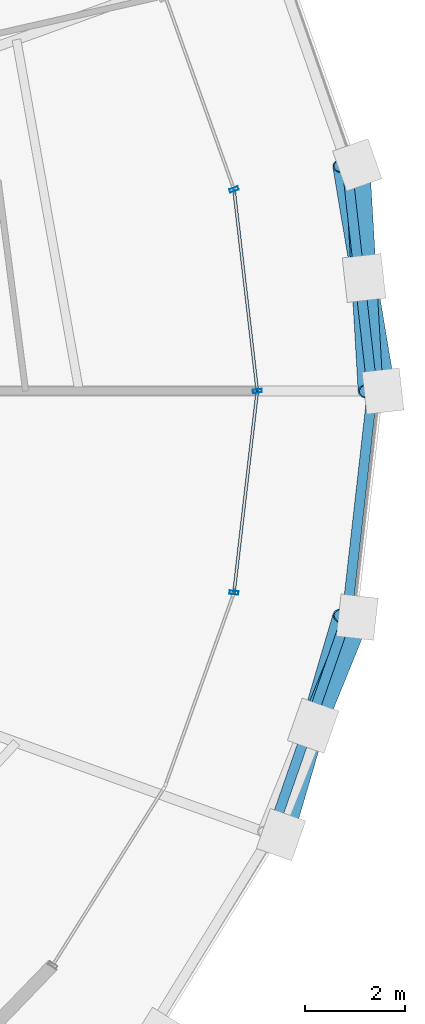
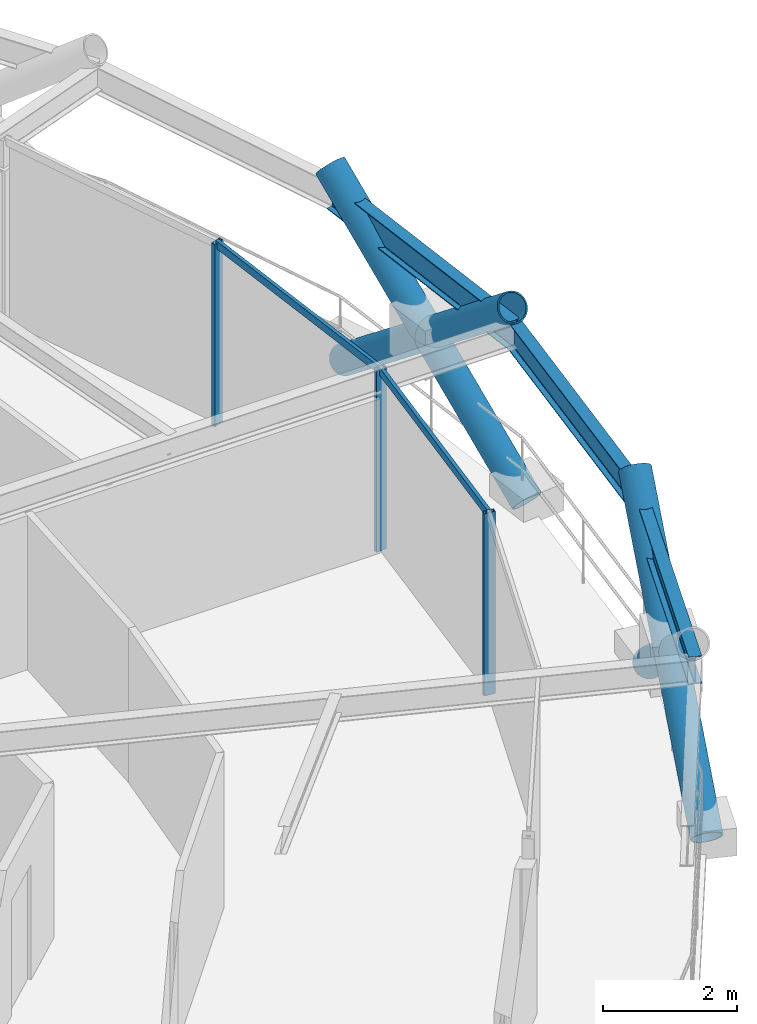
# One storey, part 8 of 16: 10 members, 3 beams, 1 element without a shape of its own.
"""IFC4 building model written with IfcOpenShell, lengths in metres."""

from ifc_helpers import new_model, si_unit, direction, frame, origin, origin_2d, place, context, subcontext, project, spatial, hollow_rectangle, hollow_circle, i_section, extrude, material, layer, layer_set, material_profile, profile_set, type_object, element, aggregate, save


model = new_model("IFC4")

# Units and contexts
model_context = context("Model", 3, precision=1e-05, world=origin(), true_north=direction((0.0, 1.0)))
body_context = subcontext(model_context, "Body", "Model", "MODEL_VIEW")
ifc_project = project(units=[si_unit("LENGTHUNIT", "METRE"), si_unit("AREAUNIT", "SQUARE_METRE"), si_unit("VOLUMEUNIT", "CUBIC_METRE"), si_unit("PLANEANGLEUNIT", "RADIAN"), si_unit("MASSUNIT", "GRAM", prefix="KILO")], contexts=[model_context])

# Site, building, storey
site_placement = place(None, origin())
site = spatial("IfcSite", under=ifc_project, at=site_placement, CompositionType="ELEMENT")
building_placement = place(site_placement, origin())
building = spatial("IfcBuilding", under=site, at=building_placement, Name="Veldorina Hangang Commons", CompositionType="ELEMENT")
storey_placement = place(building_placement, frame((0.0, 0.0, 192.800048828125)))
storey = spatial("IfcBuildingStorey", under=building, at=storey_placement, Name="L50", CompositionType="ELEMENT", Elevation=192.800048828125)

# Beams
ifc_material_1 = material(Name="Steel SM420-TMC", Category="steel")
ifc_material_profile_1 = material_profile(ifc_material_1, i_section(OverallWidth=0.199951171875, OverallDepth=0.5, WebThickness=0.010009765625, FlangeThickness=0.01611328125, FilletRadius=0.01611328125, at=origin_2d()), Name="H-500x200x10x16")
ifc_profile_set_1 = profile_set([ifc_material_profile_1], Name="Steel SM420-TMC")
beam_type = type_object("IfcBeamType", Name="BM-RB500", PredefinedType="BEAM", material=ifc_profile_set_1)
beam_1_placement = place(storey_placement, frame((58.646484375, 24.0, 3.099853515625), z_axis=(-0.112258641722, 0.993679021293, 0.0), x_axis=(-0.993679021293, -0.112258641722, 0.0)))
element("IfcBeam", 1, at=beam_1_placement, inside=storey, type_object=beam_type, Name="L50 perimeter hoop ring beam 00", PredefinedType="BEAM", context=body_context, shape_type="SweptSolid", body=[
    extrude(i_section(OverallWidth=0.199951171875, OverallDepth=0.5, WebThickness=0.010009765625, FlangeThickness=0.01611328125, FilletRadius=0.01611328125, at=origin_2d()), origin(), (0.0, 0.0, 1.0), 4.560546875),
])
beam_2_placement = place(storey_placement, frame((56.617919921875, 15.110595703125, 3.099853515625), z_axis=(0.328693009223, 0.94443681932, 0.0), x_axis=(-0.94443681932, 0.328693009223, 0.0)))
element("IfcBeam", 2, at=beam_2_placement, inside=storey, type_object=beam_type, Name="L50 perimeter hoop ring beam 30", PredefinedType="BEAM", context=body_context, shape_type="SweptSolid", body=[
    extrude(i_section(OverallWidth=0.199951171875, OverallDepth=0.5, WebThickness=0.010009765625, FlangeThickness=0.01611328125, FilletRadius=0.01611328125, at=origin_2d()), origin(), (0.0, 0.0, 1.0), 4.614013671875),
])
beam_3_placement = place(storey_placement, frame((58.134521484375, 19.46826171875, 3.099853515625), z_axis=(0.112258641722, 0.993679021293, 0.0), x_axis=(-0.993679021293, 0.112258641722, 0.0)))
element("IfcBeam", 3, at=beam_3_placement, inside=storey, type_object=beam_type, Name="L50 perimeter hoop ring beam 31", PredefinedType="BEAM", context=body_context, shape_type="SweptSolid", body=[
    extrude(i_section(OverallWidth=0.199951171875, OverallDepth=0.5, WebThickness=0.010009765625, FlangeThickness=0.01611328125, FilletRadius=0.01611328125, at=origin_2d()), origin(), (0.0, 0.0, 1.0), 4.560546875),
])

# Curtain wall, members
ifc_material_2 = material(Name="Glass Low-E Triple IGU", Category="glass")
ifc_layer = layer(ifc_material_2, 0.179931640625)
ifc_layer_set = layer_set([ifc_layer], Name="Glass Low-E Triple IGU")
curtain_wall_type = type_object("IfcCurtainWallType", Name="CW-SYS-Z2", PredefinedType="NOTDEFINED", material=ifc_layer_set)
curtain_wall_placement = place(storey_placement, origin())
curtain_wall = element("IfcCurtainWall", 4, at=curtain_wall_placement, inside=storey, type_object=curtain_wall_type, Name="L50 unitised curtain wall CW-L50-R2", PredefinedType="NOTDEFINED")
ifc_material_3 = material(Name="Aluminium Anodized AA6063-T6", Category="aluminium")
ifc_material_profile_2 = material_profile(ifc_material_3, hollow_rectangle(XDim=0.070068359375, YDim=0.179931640625, WallThickness=0.00390625, at=origin_2d()), Name="ALU-RHS-180x70x4")
ifc_profile_set_2 = profile_set([ifc_material_profile_2], Name="Aluminium Anodized AA6063-T6")
member_type_1 = type_object("IfcMemberType", Name="CW-MUL-180", PredefinedType="MULLION", material=ifc_profile_set_2)
member_1_placement = place(storey_placement, frame((55.872314453125, 19.957763671875, 0.0), z_axis=(0.0, 0.0, 1.0), x_axis=(0.114937150493, 0.9933727656, 0.0)))
member_1 = element("IfcMember", 5, at=member_1_placement, type_object=member_type_1, Name="CW-L50-R2 vertical mullion 2", PredefinedType="MULLION", context=body_context, shape_type="SweptSolid", body=[
    extrude(hollow_rectangle(XDim=0.070068359375, YDim=0.179931640625, WallThickness=0.00390625, at=origin_2d()), origin(), (0.0, 0.0, 1.0), 3.31005859375),
])
member_2_placement = place(storey_placement, frame((56.340087890625, 24.0, 0.0), z_axis=(0.0, 0.0, 1.0), x_axis=(-0.114937150493, 0.9933727656, 0.0)))
member_2 = element("IfcMember", 6, at=member_2_placement, type_object=member_type_1, Name="CW-L50-R2 vertical mullion 3", PredefinedType="MULLION", context=body_context, shape_type="SweptSolid", body=[
    extrude(hollow_rectangle(XDim=0.070068359375, YDim=0.179931640625, WallThickness=0.00390625, at=origin_2d()), origin(), (0.0, 0.0, 1.0), 3.31005859375),
])
member_3_placement = place(storey_placement, frame((55.872314453125, 28.042236328125, 0.0), z_axis=(0.0, 0.0, 1.0), x_axis=(-0.335681747794, 0.941975458384, 0.0)))
member_3 = element("IfcMember", 7, at=member_3_placement, type_object=member_type_1, Name="CW-L50-R2 vertical mullion 4", PredefinedType="MULLION", context=body_context, shape_type="SweptSolid", body=[
    extrude(hollow_rectangle(XDim=0.070068359375, YDim=0.179931640625, WallThickness=0.00390625, at=origin_2d()), origin(), (0.0, 0.0, 1.0), 3.31005859375),
])
ifc_material_profile_3 = material_profile(ifc_material_3, hollow_rectangle(XDim=0.06005859375, YDim=0.139892578125, WallThickness=0.00341796875, at=origin_2d()), Name="ALU-RHS-140x60x3.5")
ifc_profile_set_3 = profile_set([ifc_material_profile_3], Name="Aluminium Anodized AA6063-T6")
member_type_2 = type_object("IfcMemberType", Name="CW-TRN-140", PredefinedType="USERDEFINED", material=ifc_profile_set_3)
member_4_placement = place(storey_placement, frame((55.872314453125, 19.957763671875, 3.27001953125), z_axis=(0.11495430427, 0.993370780691, 0.0), x_axis=(-0.993370780691, 0.11495430427, 0.0)))
member_4 = element("IfcMember", 8, at=member_4_placement, type_object=member_type_2, Name="CW-L50-R2 facet 3 transom 1", ObjectType="TRANSOM", PredefinedType="USERDEFINED", context=body_context, shape_type="SweptSolid", body=[
    extrude(hollow_rectangle(XDim=0.06005859375, YDim=0.139892578125, WallThickness=0.00341796875, at=origin_2d()), origin(), (0.0, 0.0, 1.0), 4.069091796875),
])
member_5_placement = place(storey_placement, frame((56.340087890625, 24.0, 3.27001953125), z_axis=(-0.11495430427, 0.993370780691, 0.0), x_axis=(-0.993370780691, -0.11495430427, 0.0)))
member_5 = element("IfcMember", 9, at=member_5_placement, type_object=member_type_2, Name="CW-L50-R2 facet 4 transom 1", ObjectType="TRANSOM", PredefinedType="USERDEFINED", context=body_context, shape_type="SweptSolid", body=[
    extrude(hollow_rectangle(XDim=0.06005859375, YDim=0.139892578125, WallThickness=0.00341796875, at=origin_2d()), origin(), (0.0, 0.0, 1.0), 4.069091796875),
])
aggregate(curtain_wall, [member_1, member_2, member_3, member_4, member_5])

# Members
ifc_material_profile_4 = material_profile(ifc_material_1, hollow_circle(Radius=0.25, WallThickness=0.02490234375, at=origin_2d()), Name="CHS-500x25")
ifc_profile_set_4 = profile_set([ifc_material_profile_4], Name="Steel SM420-TMC")
member_type_3 = type_object("IfcMemberType", Name="DG-CHS500", PredefinedType="BRACE", material=ifc_profile_set_4)
member_6_placement = place(storey_placement, frame((58.860107421875, 24.0, 0.0), z_axis=(-0.130122487231, 0.776343132593, 0.616732907175), x_axis=(-0.986242719791, -0.165303652889, 0.0)))
element("IfcMember", 10, at=member_6_placement, inside=storey, type_object=member_type_3, Name="L50 continuous perimeter diagrid brace 00", PredefinedType="BRACE", context=body_context, shape_type="SweptSolid", body=[
    extrude(hollow_circle(Radius=0.25, WallThickness=0.02490234375, at=origin_2d()), origin(), (0.0, 0.0, 1.0), 5.8369140625),
])
member_7_placement = place(storey_placement, frame((58.343994140625, 28.53369140625, 0.0), z_axis=(0.047000351652, -0.782244203936, 0.621196404009), x_axis=(0.998199829784, 0.059975826964, 0.0)))
element("IfcMember", 11, at=member_7_placement, inside=storey, type_object=member_type_3, Name="L50 split perimeter diagrid lower brace 01", PredefinedType="BRACE", context=body_context, shape_type="SweptSolid", body=[
    extrude(hollow_circle(Radius=0.25, WallThickness=0.02490234375, at=origin_2d()), origin(), (0.0, 0.0, 1.0), 2.8984375),
])
member_8_placement = place(storey_placement, frame((58.480224609375, 26.266357421875, 1.800537109375), z_axis=(0.045427198604, -0.782376038303, 0.62114740949), x_axis=(0.998318586943, 0.057965498046, 0.0)))
element("IfcMember", 12, at=member_8_placement, inside=storey, type_object=member_type_3, Name="L50 split perimeter diagrid upper brace 01", PredefinedType="BRACE", context=body_context, shape_type="SweptSolid", body=[
    extrude(hollow_circle(Radius=0.25, WallThickness=0.02490234375, at=origin_2d()), origin(), (0.0, 0.0, 1.0), 2.896728515625),
])
member_9_placement = place(storey_placement, frame((56.8154296875, 15.106689453125, 0.0), z_axis=(0.221591791445, 0.752081866632, 0.620701171134), x_axis=(-0.95923031103, 0.282625565726, 0.0)))
element("IfcMember", 13, at=member_9_placement, inside=storey, type_object=member_type_3, Name="L50 continuous perimeter diagrid brace 30", PredefinedType="BRACE", context=body_context, shape_type="SweptSolid", body=[
    extrude(hollow_circle(Radius=0.25, WallThickness=0.02490234375, at=origin_2d()), origin(), (0.0, 0.0, 1.0), 5.799560546875),
])
member_10_placement = place(storey_placement, frame((58.343994140625, 19.46630859375, 0.0), z_axis=(-0.299045268483, -0.735204482785, 0.608314306828), x_axis=(0.92630461859, -0.376775468389, 0.0)))
element("IfcMember", 14, at=member_10_placement, inside=storey, type_object=member_type_3, Name="L50 split perimeter diagrid lower brace 31", PredefinedType="BRACE", context=body_context, shape_type="SweptSolid", body=[
    extrude(hollow_circle(Radius=0.25, WallThickness=0.02490234375, at=origin_2d()), origin(), (0.0, 0.0, 1.0), 2.961181640625),
])

save(model, "model.ifc")
